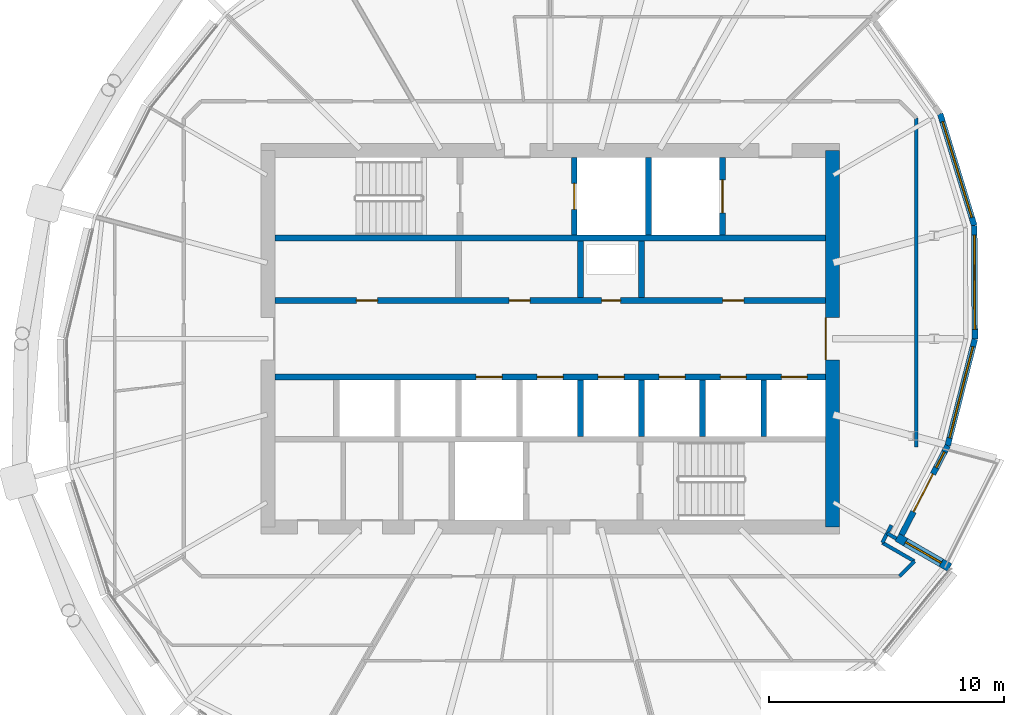
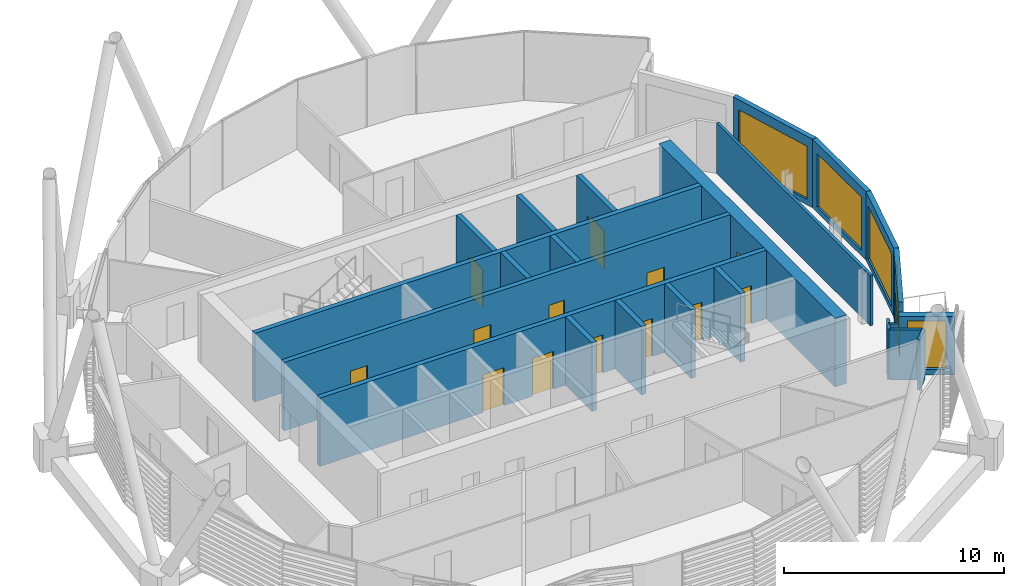
# One storey, part 27 of 35: 23 walls, 14 doors, 5 windows, 19 openings.
"""IFC4 building model written with IfcOpenShell, lengths in metres."""

from ifc_helpers import new_model, si_unit, direction, frame, frame_2d, origin, place, context, subcontext, project, spatial, rectangle, extrude, material, layer, layer_set, type_object, element, fill, save


model = new_model("IFC4")

# Units and contexts
model_context = context("Model", 3, precision=1e-05, world=origin(), true_north=direction((0.0, 1.0)))
body_context = subcontext(model_context, "Body", "Model", "MODEL_VIEW")
ifc_project = project(units=[si_unit("LENGTHUNIT", "METRE"), si_unit("AREAUNIT", "SQUARE_METRE"), si_unit("VOLUMEUNIT", "CUBIC_METRE"), si_unit("PLANEANGLEUNIT", "RADIAN"), si_unit("MASSUNIT", "GRAM", prefix="KILO")], contexts=[model_context])

# Site, building, storey
site_placement = place(None, origin())
site = spatial("IfcSite", under=ifc_project, at=site_placement, CompositionType="ELEMENT")
building_placement = place(site_placement, origin())
building = spatial("IfcBuilding", under=site, at=building_placement, Name="Rimbun Link Towers", CompositionType="ELEMENT")
storey_placement = place(building_placement, frame((0.0, 0.0, 181.699951171875)))
storey = spatial("IfcBuildingStorey", under=building, at=storey_placement, Name="L44", CompositionType="ELEMENT", Elevation=181.699951171875)

# Wall, openings, door, window
ifc_material_1 = material(Name="Dark enamelled glass spandrel on insulated aluminium backpan", Category="aluminium")
ifc_layer_1 = layer(ifc_material_1, 0.25)
ifc_layer_set_1 = layer_set([ifc_layer_1], Name="CS dark enamelled spandrel wall 250")
wall_type_1 = type_object("IfcWallType", Name="CS dark enamelled spandrel wall 250", PredefinedType="STANDARD", material=ifc_layer_set_1)
wall_1_placement = place(storey_placement, frame((48.65380859375, -4.54248046875, 0.0), z_axis=(0.0, 0.0, 1.0), x_axis=(-0.458536667943, -0.888675488664, 0.0)))
wall_1 = element("IfcWall", 1, at=wall_1_placement, inside=storey, type_object=wall_type_1, Name="Crease spandrel wall", PredefinedType="STANDARD", context=body_context, shape_type="SweptSolid", body=[
    extrude(rectangle(XDim=4.272705078125, YDim=0.25, at=frame_2d((2.13623046875, 0.0))), origin(), (0.0, 0.0, 1.0), 3.800048828125),
])
opening_1_placement = place(wall_1_placement, frame((0.307861328125, 0.0, 0.300048828125)))
opening_1 = element("IfcOpeningElement", 2, at=opening_1_placement, cuts=wall_1, Name="Opening WR08H295", PredefinedType="OPENING", context=body_context, shape_type="SweptSolid", body=[
    extrude(rectangle(XDim=0.75, YDim=2.949951171875, at=frame_2d((0.375, 1.47509765625))), frame((0.0, 0.135009765625, 0.0), z_axis=(0.0, -1.0, 0.0), x_axis=(1.0, 0.0, 0.0)), (0.0, 0.0, 1.0), 0.27001953125),
])
opening_2_placement = place(wall_1_placement, frame((1.36572265625, 0.0, 0.0)))
opening_2 = element("IfcOpeningElement", 3, at=opening_2_placement, cuts=wall_1, Name="Opening ED76", PredefinedType="OPENING", context=body_context, shape_type="SweptSolid", body=[
    extrude(rectangle(XDim=1.800048828125, YDim=2.39990234375, at=frame_2d((0.89990234375, 1.199951171875))), frame((0.0, 0.135009765625, 0.0), z_axis=(0.0, -1.0, 0.0), x_axis=(1.0, 0.0, 0.0)), (0.0, 0.0, 1.0), 0.27001953125),
])
ifc_material_2 = material(Name="Aluminium framed glazed door, low-iron glass", Category="aluminium")
door_type_1 = type_object("IfcDoorType", Name="ED terrace door double leaf 1800X2400", OperationType="DOUBLE_DOOR_SINGLE_SWING", PredefinedType="DOOR", material=ifc_material_2)
door_1_placement = place(opening_2_placement, origin())
door_1 = element("IfcDoor", 4, at=door_1_placement, inside=storey, type_object=door_type_1, Name="Terrace door", OperationType="SINGLE_SWING_LEFT", OverallHeight=2.39990234375, OverallWidth=1.800048828125, PredefinedType="DOOR", context=body_context, shape_type="SweptSolid", body=[
    extrude(rectangle(XDim=1.800048828125, YDim=2.39990234375, at=frame_2d((0.89990234375, 1.199951171875))), frame((0.0, 0.02490234375, 0.0), z_axis=(0.0, -1.0, 0.0), x_axis=(1.0, 0.0, 0.0)), (0.0, 0.0, 1.0), 0.050048828125),
])
fill(opening_2, door_1)
ifc_material_3 = material(Name="Aluminium framed fixed window, dark tinted low-e glass", Category="aluminium")
window_type_1 = type_object("IfcWindowType", Name="WR ribbon window 750X2950", PartitioningType="SINGLE_PANEL", PredefinedType="WINDOW", material=ifc_material_3)
window_1_placement = place(opening_1_placement, origin())
window_1 = element("IfcWindow", 5, at=window_1_placement, inside=storey, type_object=window_type_1, Name="Crease ribbon window", OverallHeight=2.949951171875, OverallWidth=0.75, PartitioningType="SINGLE_PANEL", PredefinedType="WINDOW", context=body_context, shape_type="SweptSolid", body=[
    extrude(rectangle(XDim=0.75, YDim=2.949951171875, at=frame_2d((0.375, 1.47509765625))), frame((0.0, 0.030029296875, 0.0), z_axis=(0.0, -1.0, 0.0), x_axis=(1.0, 0.0, 0.0)), (0.0, 0.0, 1.0), 0.06005859375),
])
fill(opening_1, window_1)

# Wall, opening, window
wall_2_placement = place(storey_placement, frame((49.80908203125, -0.015380859375, 0.0), z_axis=(0.0, 0.0, 1.0), x_axis=(-0.247266343543, -0.968947550361, 0.0)))
wall_2 = element("IfcWall", 6, at=wall_2_placement, inside=storey, type_object=wall_type_1, Name="Crease spandrel wall", PredefinedType="STANDARD", context=body_context, shape_type="SweptSolid", body=[
    extrude(rectangle(XDim=4.672119140625, YDim=0.25, at=frame_2d((2.3359375, 0.0))), origin(), (0.0, 0.0, 1.0), 3.800048828125),
])
opening_3_placement = place(wall_2_placement, frame((0.336181640625, 0.0, 0.300048828125)))
opening_3 = element("IfcOpeningElement", 7, at=opening_3_placement, cuts=wall_2, Name="Opening WR40H295", PredefinedType="OPENING", context=body_context, shape_type="SweptSolid", body=[
    extrude(rectangle(XDim=4.0, YDim=2.949951171875, at=frame_2d((2.0, 1.47509765625))), frame((0.0, 0.135009765625, 0.0), z_axis=(0.0, -1.0, 0.0), x_axis=(1.0, 0.0, 0.0)), (0.0, 0.0, 1.0), 0.27001953125),
])
ifc_material_4 = material(Name="Aluminium framed fixed window, dark tinted low-e glass", Category="aluminium")
window_type_2 = type_object("IfcWindowType", Name="WR ribbon window 4000X2950", PartitioningType="SINGLE_PANEL", PredefinedType="WINDOW", material=ifc_material_4)
window_2_placement = place(opening_3_placement, origin())
window_2 = element("IfcWindow", 8, at=window_2_placement, inside=storey, type_object=window_type_2, Name="Crease ribbon window", OverallHeight=2.949951171875, OverallWidth=4.0, PartitioningType="SINGLE_PANEL", PredefinedType="WINDOW", context=body_context, shape_type="SweptSolid", body=[
    extrude(rectangle(XDim=4.0, YDim=2.949951171875, at=frame_2d((2.0, 1.47509765625))), frame((0.0, 0.030029296875, 0.0), z_axis=(0.0, -1.0, 0.0), x_axis=(1.0, 0.0, 0.0)), (0.0, 0.0, 1.0), 0.06005859375),
])
fill(opening_3, window_2)

wall_3_placement = place(storey_placement, frame((49.7822265625, 4.8173828125, 0.0), z_axis=(0.0, 0.0, 1.0), x_axis=(0.005556873031, -0.999984560462, 0.0)))
wall_3 = element("IfcWall", 9, at=wall_3_placement, inside=storey, type_object=wall_type_1, Name="Crease spandrel wall", PredefinedType="STANDARD", context=body_context, shape_type="SweptSolid", body=[
    extrude(rectangle(XDim=4.832763671875, YDim=0.25, at=frame_2d((2.41650390625, 0.0))), origin(), (0.0, 0.0, 1.0), 3.800048828125),
])
opening_4_placement = place(wall_3_placement, frame((0.416259765625, 0.0, 0.300048828125)))
opening_4 = element("IfcOpeningElement", 10, at=opening_4_placement, cuts=wall_3, Name="Opening WR40H295", PredefinedType="OPENING", context=body_context, shape_type="SweptSolid", body=[
    extrude(rectangle(XDim=4.0, YDim=2.949951171875, at=frame_2d((2.0, 1.47509765625))), frame((0.0, 0.135009765625, 0.0), z_axis=(0.0, -1.0, 0.0), x_axis=(1.0, 0.0, 0.0)), (0.0, 0.0, 1.0), 0.27001953125),
])
window_3_placement = place(opening_4_placement, origin())
window_3 = element("IfcWindow", 11, at=window_3_placement, inside=storey, type_object=window_type_2, Name="Crease ribbon window", OverallHeight=2.949951171875, OverallWidth=4.0, PartitioningType="SINGLE_PANEL", PredefinedType="WINDOW", context=body_context, shape_type="SweptSolid", body=[
    extrude(rectangle(XDim=4.0, YDim=2.949951171875, at=frame_2d((2.0, 1.47509765625))), frame((0.0, 0.030029296875, 0.0), z_axis=(0.0, -1.0, 0.0), x_axis=(1.0, 0.0, 0.0)), (0.0, 0.0, 1.0), 0.06005859375),
])
fill(opening_4, window_3)

wall_4_placement = place(storey_placement, frame((48.333251953125, 9.564697265625, 0.0), z_axis=(0.0, 0.0, 1.0), x_axis=(0.291924857716, -0.956441256663, 0.0)))
wall_4 = element("IfcWall", 12, at=wall_4_placement, inside=storey, type_object=wall_type_1, Name="Crease spandrel wall", PredefinedType="STANDARD", context=body_context, shape_type="SweptSolid", body=[
    extrude(rectangle(XDim=4.963623046875, YDim=0.25, at=frame_2d((2.48193359375, 0.0))), origin(), (0.0, 0.0, 1.0), 3.800048828125),
])
opening_5_placement = place(wall_4_placement, frame((0.356689453125, 0.0, 0.300048828125)))
opening_5 = element("IfcOpeningElement", 13, at=opening_5_placement, cuts=wall_4, Name="Opening WR42H295", PredefinedType="OPENING", context=body_context, shape_type="SweptSolid", body=[
    extrude(rectangle(XDim=4.25, YDim=2.949951171875, at=frame_2d((2.125, 1.47509765625))), frame((0.0, 0.135009765625, 0.0), z_axis=(0.0, -1.0, 0.0), x_axis=(1.0, 0.0, 0.0)), (0.0, 0.0, 1.0), 0.27001953125),
])
ifc_material_5 = material(Name="Aluminium framed fixed window, dark tinted low-e glass", Category="aluminium")
window_type_3 = type_object("IfcWindowType", Name="WR ribbon window 4250X2950", PartitioningType="SINGLE_PANEL", PredefinedType="WINDOW", material=ifc_material_5)
window_4_placement = place(opening_5_placement, origin())
window_4 = element("IfcWindow", 14, at=window_4_placement, inside=storey, type_object=window_type_3, Name="Crease ribbon window", OverallHeight=2.949951171875, OverallWidth=4.25, PartitioningType="SINGLE_PANEL", PredefinedType="WINDOW", context=body_context, shape_type="SweptSolid", body=[
    extrude(rectangle(XDim=4.25, YDim=2.949951171875, at=frame_2d((2.125, 1.47509765625))), frame((0.0, 0.030029296875, 0.0), z_axis=(0.0, -1.0, 0.0), x_axis=(1.0, 0.0, 0.0)), (0.0, 0.0, 1.0), 0.06005859375),
])
fill(opening_5, window_4)

ifc_material_6 = material(Name="Dark enamelled glass spandrel on insulated aluminium backpan", Category="aluminium")
ifc_layer_2 = layer(ifc_material_6, 0.3701171875)
ifc_layer_set_2 = layer_set([ifc_layer_2], Name="CS dark enamelled spandrel wall 370")
wall_type_2 = type_object("IfcWallType", Name="CS dark enamelled spandrel wall 370", PredefinedType="STANDARD", material=ifc_layer_set_2)
wall_5_placement = place(storey_placement, frame((46.50390625, -8.443115234375, 0.0), z_axis=(0.0, 0.0, 1.0), x_axis=(0.866021702275, -0.500006411147, 0.0)))
wall_5 = element("IfcWall", 15, at=wall_5_placement, inside=storey, type_object=wall_type_2, Name="Crease spandrel wall", PredefinedType="STANDARD", context=body_context, shape_type="SweptSolid", body=[
    extrude(rectangle(XDim=2.580078125, YDim=0.3701171875, at=frame_2d((1.2900390625, 0.0))), origin(), (0.0, 0.0, 1.0), 3.233642578125),
])
opening_6_placement = place(wall_5_placement, frame((0.4150390625, 0.0, 0.300048828125)))
opening_6 = element("IfcOpeningElement", 16, at=opening_6_placement, cuts=wall_5, Name="Opening WR18H270", PredefinedType="OPENING", context=body_context, shape_type="SweptSolid", body=[
    extrude(rectangle(XDim=1.75, YDim=2.699951171875, at=frame_2d((0.875, 1.35009765625))), frame((0.0, 0.195068359375, 0.0), z_axis=(0.0, -1.0, 0.0), x_axis=(1.0, 0.0, 0.0)), (0.0, 0.0, 1.0), 0.39013671875),
])
ifc_material_7 = material(Name="Aluminium framed fixed window, dark tinted low-e glass", Category="aluminium")
window_type_4 = type_object("IfcWindowType", Name="WR ribbon window 1750X2700", PartitioningType="SINGLE_PANEL", PredefinedType="WINDOW", material=ifc_material_7)
window_5_placement = place(opening_6_placement, origin())
window_5 = element("IfcWindow", 17, at=window_5_placement, inside=storey, type_object=window_type_4, Name="Crease ribbon window", OverallHeight=2.699951171875, OverallWidth=1.75, PartitioningType="SINGLE_PANEL", PredefinedType="WINDOW", context=body_context, shape_type="SweptSolid", body=[
    extrude(rectangle(XDim=1.75, YDim=2.699951171875, at=frame_2d((0.875, 1.35009765625))), frame((0.0, 0.030029296875, 0.0), z_axis=(0.0, -1.0, 0.0), x_axis=(1.0, 0.0, 0.0)), (0.0, 0.0, 1.0), 0.06005859375),
])
fill(opening_6, window_5)

# Wall, opening, door
ifc_material_8 = material(Name="Concrete C60/75", Category="concrete")
ifc_layer_3 = layer(ifc_material_8, 0.60009765625)
ifc_layer_set_3 = layer_set([ifc_layer_3], Name="Core shear wall 600")
wall_type_3 = type_object("IfcWallType", Name="Core shear wall 600", PredefinedType="SHEAR", material=ifc_layer_set_3)
wall_6_placement = place(storey_placement, frame((43.75, -8.0, 0.0), z_axis=(0.0, 0.0, 1.0), x_axis=(0.0, 1.0, 0.0)))
wall_6 = element("IfcWall", 18, at=wall_6_placement, inside=storey, type_object=wall_type_3, Name="L44 T2 core wall E", PredefinedType="SHEAR", context=body_context, shape_type="SweptSolid", body=[
    extrude(rectangle(XDim=16.0, YDim=0.60009765625, at=frame_2d((8.0, 0.0))), origin(), (0.0, 0.0, 1.0), 3.800048828125),
])
opening_7_placement = place(wall_6_placement, frame((7.10009765625, 0.0, 0.0)))
opening_7 = element("IfcOpeningElement", 19, at=opening_7_placement, cuts=wall_6, Name="Opening C2DCL01E", PredefinedType="OPENING", context=body_context, shape_type="SweptSolid", body=[
    extrude(rectangle(XDim=1.800048828125, YDim=2.10009765625, at=frame_2d((0.89990234375, 1.050048828125))), frame((0.0, 0.31005859375, 0.0), z_axis=(0.0, -1.0, 0.0), x_axis=(1.0, 0.0, 0.0)), (0.0, 0.0, 1.0), 0.6201171875),
])
ifc_material_9 = material(Name="Steel fire door set", Category="steel")
door_type_2 = type_object("IfcDoorType", Name="Core lobby door double", OperationType="DOUBLE_DOOR_SINGLE_SWING", PredefinedType="DOOR", material=ifc_material_9)
door_2_placement = place(opening_7_placement, origin())
door_2 = element("IfcDoor", 20, at=door_2_placement, inside=storey, type_object=door_type_2, Name="L44 T2 lift lobby door", OperationType="DOUBLE_DOOR_SINGLE_SWING", OverallHeight=2.10009765625, OverallWidth=1.800048828125, PredefinedType="DOOR", context=body_context, shape_type="SweptSolid", body=[
    extrude(rectangle(XDim=1.800048828125, YDim=2.10009765625, at=frame_2d((0.89990234375, 1.050048828125))), frame((0.0, 0.2998046875, 0.0), z_axis=(0.0, -1.0, 0.0), x_axis=(1.0, 0.0, 0.0)), (0.0, 0.0, 1.0), 0.050048828125),
])
fill(opening_7, door_2)

# Walls
ifc_material_10 = material(Name="Plasterboard on steel stud, mineral wool", Category="steel")
ifc_layer_4 = layer(ifc_material_10, 0.14990234375)
ifc_layer_set_4 = layer_set([ifc_layer_4], Name="Corridor wall EI 30 150 mm")
wall_type_4 = type_object("IfcWallType", Name="Corridor wall EI 30 150 mm", PredefinedType="PARTITIONING", material=ifc_layer_set_4)
wall_7_placement = place(storey_placement, frame((47.324951171875, -4.607421875, 0.0), z_axis=(0.0, 0.0, 1.0), x_axis=(0.0, 1.0, 0.0)))
element("IfcWall", 21, at=wall_7_placement, inside=storey, type_object=wall_type_4, Name="Corridor wall EI 30 150 mm", PredefinedType="PARTITIONING", context=body_context, shape_type="SweptSolid", body=[
    extrude(rectangle(XDim=13.981201171875, YDim=0.14990234375, at=frame_2d((6.99072265625, 0.0))), origin(), (0.0, 0.0, 1.0), 2.7890625),
])
wall_8_placement = place(storey_placement, frame((45.874755859375, -8.674560546875, 0.0), z_axis=(0.0, 0.0, 1.0), x_axis=(0.458382769629, 0.888754879878, 0.0)))
element("IfcWall", 22, at=wall_8_placement, inside=storey, type_object=wall_type_4, Name="Corridor wall EI 30 150 mm", PredefinedType="PARTITIONING", context=body_context, shape_type="SweptSolid", body=[
    extrude(rectangle(XDim=0.836669921875, YDim=0.14990234375, at=frame_2d((0.41845703125, 0.0))), origin(), (0.0, 0.0, 1.0), 2.7890625),
])
wall_9_placement = place(storey_placement, frame((47.2373046875, -9.461181640625, 0.0), z_axis=(0.0, 0.0, 1.0), x_axis=(-0.866038294681, 0.499977671647, 0.0)))
element("IfcWall", 23, at=wall_9_placement, inside=storey, type_object=wall_type_4, Name="Corridor wall EI 30 150 mm", PredefinedType="PARTITIONING", context=body_context, shape_type="SweptSolid", body=[
    extrude(rectangle(XDim=1.5732421875, YDim=0.14990234375, at=frame_2d((0.78662109375, 0.0))), origin(), (0.0, 0.0, 1.0), 2.7890625),
])
wall_10_placement = place(storey_placement, frame((46.603759765625, -10.094970703125, 0.0), z_axis=(0.0, 0.0, 1.0), x_axis=(0.706970550234, 0.707242985898, 0.0)))
element("IfcWall", 24, at=wall_10_placement, inside=storey, type_object=wall_type_4, Name="Corridor wall EI 30 150 mm", PredefinedType="PARTITIONING", context=body_context, shape_type="SweptSolid", body=[
    extrude(rectangle(XDim=0.896240234375, YDim=0.14990234375, at=frame_2d((0.4482421875, 0.0))), origin(), (0.0, 0.0, 1.0), 2.7890625),
])
ifc_material_11 = material(Name="Concrete C60/75", Category="concrete")
ifc_layer_5 = layer(ifc_material_11, 0.25)
ifc_layer_set_5 = layer_set([ifc_layer_5], Name="Shaft wall 250")
wall_type_5 = type_object("IfcWallType", Name="Shaft wall 250", PredefinedType="SHEAR", material=ifc_layer_set_5)
wall_11_placement = place(storey_placement, frame((20.050048828125, 4.27490234375, 0.0), z_axis=(0.0, 0.0, 1.0), x_axis=(1.0, 0.0, 0.0)))
element("IfcWall", 25, at=wall_11_placement, inside=storey, type_object=wall_type_5, Name="L44 T2 core wall BN", PredefinedType="SHEAR", context=body_context, shape_type="SweptSolid", body=[
    extrude(rectangle(XDim=23.39990234375, YDim=0.25, at=frame_2d((11.699951171875, 0.0))), origin(), (0.0, 0.0, 1.0), 3.800048828125),
])

# Wall, openings, doors
wall_12_placement = place(storey_placement, frame((20.050048828125, 1.625, 0.0), z_axis=(0.0, 0.0, 1.0), x_axis=(1.0, 0.0, 0.0)))
wall_12 = element("IfcWall", 26, at=wall_12_placement, inside=storey, type_object=wall_type_5, Name="L44 T2 core wall FN", PredefinedType="SHEAR", context=body_context, shape_type="SweptSolid", body=[
    extrude(rectangle(XDim=23.39990234375, YDim=0.25, at=frame_2d((11.699951171875, 0.0))), origin(), (0.0, 0.0, 1.0), 3.800048828125),
])
opening_8_placement = place(wall_12_placement, frame((3.466796875, 0.0, 0.0)))
opening_8 = element("IfcOpeningElement", 27, at=opening_8_placement, cuts=wall_12, Name="Opening C2DRS01FN", PredefinedType="OPENING", context=body_context, shape_type="SweptSolid", body=[
    extrude(rectangle(XDim=0.89990234375, YDim=2.10009765625, at=frame_2d((0.449951171875, 1.050048828125))), frame((0.0, 0.135009765625, 0.0), z_axis=(0.0, -1.0, 0.0), x_axis=(1.0, 0.0, 0.0)), (0.0, 0.0, 1.0), 0.27001953125),
])
opening_9_placement = place(wall_12_placement, frame((9.952880859375, 0.0, 0.0)))
opening_9 = element("IfcOpeningElement", 28, at=opening_9_placement, cuts=wall_12, Name="Opening C2DRS02FN", PredefinedType="OPENING", context=body_context, shape_type="SweptSolid", body=[
    extrude(rectangle(XDim=0.89990234375, YDim=2.10009765625, at=frame_2d((0.449951171875, 1.050048828125))), frame((0.0, 0.135009765625, 0.0), z_axis=(0.0, -1.0, 0.0), x_axis=(1.0, 0.0, 0.0)), (0.0, 0.0, 1.0), 0.27001953125),
])
opening_10_placement = place(wall_12_placement, frame((13.894287109375, 0.0, 0.0)))
opening_10 = element("IfcOpeningElement", 29, at=opening_10_placement, cuts=wall_12, Name="Opening C2DRA03FN", PredefinedType="OPENING", context=body_context, shape_type="SweptSolid", body=[
    extrude(rectangle(XDim=0.800048828125, YDim=2.10009765625, at=frame_2d((0.39990234375, 1.050048828125))), frame((0.0, 0.135009765625, 0.0), z_axis=(0.0, -1.0, 0.0), x_axis=(1.0, 0.0, 0.0)), (0.0, 0.0, 1.0), 0.27001953125),
])
opening_11_placement = place(wall_12_placement, frame((19.033203125, 0.0, 0.0)))
opening_11 = element("IfcOpeningElement", 30, at=opening_11_placement, cuts=wall_12, Name="Opening C2DRS04FN", PredefinedType="OPENING", context=body_context, shape_type="SweptSolid", body=[
    extrude(rectangle(XDim=0.89990234375, YDim=2.10009765625, at=frame_2d((0.449951171875, 1.050048828125))), frame((0.0, 0.135009765625, 0.0), z_axis=(0.0, -1.0, 0.0), x_axis=(1.0, 0.0, 0.0)), (0.0, 0.0, 1.0), 0.27001953125),
])
ifc_material_12 = material(Name="Steel fire door set", Category="steel")
door_type_3 = type_object("IfcDoorType", Name="Core riser door", OperationType="SINGLE_SWING_LEFT", PredefinedType="DOOR", material=ifc_material_12)
door_3_placement = place(opening_8_placement, origin())
door_3 = element("IfcDoor", 31, at=door_3_placement, inside=storey, type_object=door_type_3, Name="L44 T2 plant room door", OperationType="SINGLE_SWING_LEFT", OverallHeight=2.10009765625, OverallWidth=0.89990234375, PredefinedType="DOOR", context=body_context, shape_type="SweptSolid", body=[
    extrude(rectangle(XDim=0.89990234375, YDim=2.10009765625, at=frame_2d((0.449951171875, 1.050048828125))), frame((0.0, 0.02490234375, 0.0), z_axis=(0.0, -1.0, 0.0), x_axis=(1.0, 0.0, 0.0)), (0.0, 0.0, 1.0), 0.050048828125),
])
fill(opening_8, door_3)
door_4_placement = place(opening_9_placement, origin())
door_4 = element("IfcDoor", 32, at=door_4_placement, inside=storey, type_object=door_type_3, Name="L44 T2 pantry door", OperationType="SINGLE_SWING_LEFT", OverallHeight=2.10009765625, OverallWidth=0.89990234375, PredefinedType="DOOR", context=body_context, shape_type="SweptSolid", body=[
    extrude(rectangle(XDim=0.89990234375, YDim=2.10009765625, at=frame_2d((0.449951171875, 1.050048828125))), frame((0.0, 0.02490234375, 0.0), z_axis=(0.0, -1.0, 0.0), x_axis=(1.0, 0.0, 0.0)), (0.0, 0.0, 1.0), 0.050048828125),
])
fill(opening_9, door_4)
door_5_placement = place(opening_11_placement, origin())
door_5 = element("IfcDoor", 33, at=door_5_placement, inside=storey, type_object=door_type_3, Name="L44 T2 plant room door", OperationType="SINGLE_SWING_LEFT", OverallHeight=2.10009765625, OverallWidth=0.89990234375, PredefinedType="DOOR", context=body_context, shape_type="SweptSolid", body=[
    extrude(rectangle(XDim=0.89990234375, YDim=2.10009765625, at=frame_2d((0.449951171875, 1.050048828125))), frame((0.0, 0.02490234375, 0.0), z_axis=(0.0, -1.0, 0.0), x_axis=(1.0, 0.0, 0.0)), (0.0, 0.0, 1.0), 0.050048828125),
])
fill(opening_11, door_5)
ifc_material_13 = material(Name="Steel fire door set", Category="steel")
door_type_4 = type_object("IfcDoorType", Name="Riser access door 800 x 2100", OperationType="SINGLE_SWING_LEFT", PredefinedType="DOOR", material=ifc_material_13)
door_6_placement = place(opening_10_placement, origin())
door_6 = element("IfcDoor", 34, at=door_6_placement, inside=storey, type_object=door_type_4, Name="L44 T2 riser cupboard door", OperationType="SINGLE_SWING_RIGHT", OverallHeight=2.10009765625, OverallWidth=0.800048828125, PredefinedType="DOOR", context=body_context, shape_type="SweptSolid", body=[
    extrude(rectangle(XDim=0.800048828125, YDim=2.10009765625, at=frame_2d((0.39990234375, 1.050048828125))), frame((0.0, 0.02490234375, 0.0), z_axis=(0.0, -1.0, 0.0), x_axis=(1.0, 0.0, 0.0)), (0.0, 0.0, 1.0), 0.050048828125),
])
fill(opening_10, door_6)

wall_13_placement = place(storey_placement, frame((20.050048828125, -1.625, 0.0), z_axis=(0.0, 0.0, 1.0), x_axis=(1.0, 0.0, 0.0)))
wall_13 = element("IfcWall", 35, at=wall_13_placement, inside=storey, type_object=wall_type_5, Name="L44 T2 core wall FS", PredefinedType="SHEAR", context=body_context, shape_type="SweptSolid", body=[
    extrude(rectangle(XDim=23.39990234375, YDim=0.25, at=frame_2d((11.699951171875, 0.0))), origin(), (0.0, 0.0, 1.0), 3.800048828125),
])
opening_12_placement = place(wall_13_placement, frame((8.5556640625, 0.0, 0.0)))
opening_12 = element("IfcOpeningElement", 36, at=opening_12_placement, cuts=wall_13, Name="Opening LD-T2-HR1", PredefinedType="OPENING", context=body_context, shape_type="SweptSolid", body=[
    extrude(rectangle(XDim=1.10009765625, YDim=2.10009765625, at=frame_2d((0.550048828125, 1.050048828125))), frame((0.0, 0.135009765625, 0.0), z_axis=(0.0, -1.0, 0.0), x_axis=(1.0, 0.0, 0.0)), (0.0, 0.0, 1.0), 0.27001953125),
])
opening_13_placement = place(wall_13_placement, frame((11.14990234375, 0.0, 0.0)))
opening_13 = element("IfcOpeningElement", 37, at=opening_13_placement, cuts=wall_13, Name="Opening LD-T2-HR2", PredefinedType="OPENING", context=body_context, shape_type="SweptSolid", body=[
    extrude(rectangle(XDim=1.10009765625, YDim=2.10009765625, at=frame_2d((0.550048828125, 1.050048828125))), frame((0.0, 0.135009765625, 0.0), z_axis=(0.0, -1.0, 0.0), x_axis=(1.0, 0.0, 0.0)), (0.0, 0.0, 1.0), 0.27001953125),
])
opening_14_placement = place(wall_13_placement, frame((13.744384765625, 0.0, 0.0)))
opening_14 = element("IfcOpeningElement", 38, at=opening_14_placement, cuts=wall_13, Name="Opening LD-T2-HR3", PredefinedType="OPENING", context=body_context, shape_type="SweptSolid", body=[
    extrude(rectangle(XDim=1.10009765625, YDim=2.10009765625, at=frame_2d((0.550048828125, 1.050048828125))), frame((0.0, 0.135009765625, 0.0), z_axis=(0.0, -1.0, 0.0), x_axis=(1.0, 0.0, 0.0)), (0.0, 0.0, 1.0), 0.27001953125),
])
opening_15_placement = place(wall_13_placement, frame((16.3388671875, 0.0, 0.0)))
opening_15 = element("IfcOpeningElement", 39, at=opening_15_placement, cuts=wall_13, Name="Opening LD-T2-HR4", PredefinedType="OPENING", context=body_context, shape_type="SweptSolid", body=[
    extrude(rectangle(XDim=1.10009765625, YDim=2.10009765625, at=frame_2d((0.550048828125, 1.050048828125))), frame((0.0, 0.135009765625, 0.0), z_axis=(0.0, -1.0, 0.0), x_axis=(1.0, 0.0, 0.0)), (0.0, 0.0, 1.0), 0.27001953125),
])
opening_16_placement = place(wall_13_placement, frame((18.933349609375, 0.0, 0.0)))
opening_16 = element("IfcOpeningElement", 40, at=opening_16_placement, cuts=wall_13, Name="Opening LD-T2-HR5", PredefinedType="OPENING", context=body_context, shape_type="SweptSolid", body=[
    extrude(rectangle(XDim=1.10009765625, YDim=2.10009765625, at=frame_2d((0.550048828125, 1.050048828125))), frame((0.0, 0.135009765625, 0.0), z_axis=(0.0, -1.0, 0.0), x_axis=(1.0, 0.0, 0.0)), (0.0, 0.0, 1.0), 0.27001953125),
])
opening_17_placement = place(wall_13_placement, frame((21.52783203125, 0.0, 0.0)))
opening_17 = element("IfcOpeningElement", 41, at=opening_17_placement, cuts=wall_13, Name="Opening LD-T2-HR6", PredefinedType="OPENING", context=body_context, shape_type="SweptSolid", body=[
    extrude(rectangle(XDim=1.10009765625, YDim=2.10009765625, at=frame_2d((0.550048828125, 1.050048828125))), frame((0.0, 0.135009765625, 0.0), z_axis=(0.0, -1.0, 0.0), x_axis=(1.0, 0.0, 0.0)), (0.0, 0.0, 1.0), 0.27001953125),
])
ifc_material_14 = material(Name="Stainless steel grade 316", Category="steel")
door_type_5 = type_object("IfcDoorType", Name="Lift landing door", OperationType="DOUBLE_DOOR_SLIDING", PredefinedType="DOOR", material=ifc_material_14)
door_7_placement = place(opening_12_placement, origin())
door_7 = element("IfcDoor", 42, at=door_7_placement, inside=storey, type_object=door_type_5, Name="L44 T2 lift HR1 landing door", OperationType="DOUBLE_DOOR_SLIDING", OverallHeight=2.10009765625, OverallWidth=1.10009765625, PredefinedType="DOOR", context=body_context, shape_type="SweptSolid", body=[
    extrude(rectangle(XDim=1.10009765625, YDim=2.10009765625, at=frame_2d((0.550048828125, 1.050048828125))), frame((0.0, 0.02490234375, 0.0), z_axis=(0.0, -1.0, 0.0), x_axis=(1.0, 0.0, 0.0)), (0.0, 0.0, 1.0), 0.050048828125),
])
fill(opening_12, door_7)
door_8_placement = place(opening_13_placement, origin())
door_8 = element("IfcDoor", 43, at=door_8_placement, inside=storey, type_object=door_type_5, Name="L44 T2 lift HR2 landing door", OperationType="DOUBLE_DOOR_SLIDING", OverallHeight=2.10009765625, OverallWidth=1.10009765625, PredefinedType="DOOR", context=body_context, shape_type="SweptSolid", body=[
    extrude(rectangle(XDim=1.10009765625, YDim=2.10009765625, at=frame_2d((0.550048828125, 1.050048828125))), frame((0.0, 0.02490234375, 0.0), z_axis=(0.0, -1.0, 0.0), x_axis=(1.0, 0.0, 0.0)), (0.0, 0.0, 1.0), 0.050048828125),
])
fill(opening_13, door_8)
door_9_placement = place(opening_14_placement, origin())
door_9 = element("IfcDoor", 44, at=door_9_placement, inside=storey, type_object=door_type_5, Name="L44 T2 lift HR3 landing door", OperationType="DOUBLE_DOOR_SLIDING", OverallHeight=2.10009765625, OverallWidth=1.10009765625, PredefinedType="DOOR", context=body_context, shape_type="SweptSolid", body=[
    extrude(rectangle(XDim=1.10009765625, YDim=2.10009765625, at=frame_2d((0.550048828125, 1.050048828125))), frame((0.0, 0.02490234375, 0.0), z_axis=(0.0, -1.0, 0.0), x_axis=(1.0, 0.0, 0.0)), (0.0, 0.0, 1.0), 0.050048828125),
])
fill(opening_14, door_9)
door_10_placement = place(opening_15_placement, origin())
door_10 = element("IfcDoor", 45, at=door_10_placement, inside=storey, type_object=door_type_5, Name="L44 T2 lift HR4 landing door", OperationType="DOUBLE_DOOR_SLIDING", OverallHeight=2.10009765625, OverallWidth=1.10009765625, PredefinedType="DOOR", context=body_context, shape_type="SweptSolid", body=[
    extrude(rectangle(XDim=1.10009765625, YDim=2.10009765625, at=frame_2d((0.550048828125, 1.050048828125))), frame((0.0, 0.02490234375, 0.0), z_axis=(0.0, -1.0, 0.0), x_axis=(1.0, 0.0, 0.0)), (0.0, 0.0, 1.0), 0.050048828125),
])
fill(opening_15, door_10)
door_11_placement = place(opening_16_placement, origin())
door_11 = element("IfcDoor", 46, at=door_11_placement, inside=storey, type_object=door_type_5, Name="L44 T2 lift HR5 landing door", OperationType="DOUBLE_DOOR_SLIDING", OverallHeight=2.10009765625, OverallWidth=1.10009765625, PredefinedType="DOOR", context=body_context, shape_type="SweptSolid", body=[
    extrude(rectangle(XDim=1.10009765625, YDim=2.10009765625, at=frame_2d((0.550048828125, 1.050048828125))), frame((0.0, 0.02490234375, 0.0), z_axis=(0.0, -1.0, 0.0), x_axis=(1.0, 0.0, 0.0)), (0.0, 0.0, 1.0), 0.050048828125),
])
fill(opening_16, door_11)
door_12_placement = place(opening_17_placement, origin())
door_12 = element("IfcDoor", 47, at=door_12_placement, inside=storey, type_object=door_type_5, Name="L44 T2 lift HR6 landing door", OperationType="DOUBLE_DOOR_SLIDING", OverallHeight=2.10009765625, OverallWidth=1.10009765625, PredefinedType="DOOR", context=body_context, shape_type="SweptSolid", body=[
    extrude(rectangle(XDim=1.10009765625, YDim=2.10009765625, at=frame_2d((0.550048828125, 1.050048828125))), frame((0.0, 0.02490234375, 0.0), z_axis=(0.0, -1.0, 0.0), x_axis=(1.0, 0.0, 0.0)), (0.0, 0.0, 1.0), 0.050048828125),
])
fill(opening_17, door_12)

# Walls
for number, where, z_axis, x_axis, name in (
    (48, (33.047119140625, 1.75, 0.0), (0.0, 0.0, 1.0), (0.0, 1.0, 0.0), "L44 T2 core wall DN4"),
    (49, (35.6416015625, 1.75, 0.0), (0.0, 0.0, 1.0), (0.0, 1.0, 0.0), "L44 T2 core wall DN5"),
    (50, (33.047119140625, -4.14990234375, 0.0), (0.0, 0.0, 1.0), (0.0, 1.0, 0.0), "L44 T2 core wall DS4"),
    (51, (35.6416015625, -4.14990234375, 0.0), (0.0, 0.0, 1.0), (0.0, 1.0, 0.0), "L44 T2 core wall DS5"),
    (52, (38.236083984375, -4.14990234375, 0.0), (0.0, 0.0, 1.0), (0.0, 1.0, 0.0), "L44 T2 core wall DS6"),
    (53, (40.83056640625, -4.14990234375, 0.0), (0.0, 0.0, 1.0), (0.0, 1.0, 0.0), "L44 T2 core wall DS7"),
):
    element("IfcWall", number, at=place(storey_placement, frame(where, z_axis=z_axis, x_axis=x_axis)), inside=storey, type_object=wall_type_5, Name=name, PredefinedType="SHEAR", context=body_context, shape_type="SweptSolid", body=[
        extrude(rectangle(XDim=2.39990234375, YDim=0.25, at=frame_2d((1.199951171875, 0.0))), origin(), (0.0, 0.0, 1.0), 3.800048828125),
    ])

# Wall, opening, door
wall_14_placement = place(storey_placement, frame((32.77490234375, 4.39990234375, 0.0), z_axis=(0.0, 0.0, 1.0), x_axis=(0.0, 1.0, 0.0)))
wall_14 = element("IfcWall", 54, at=wall_14_placement, inside=storey, type_object=wall_type_5, Name="L44 T2 core wall A2", PredefinedType="SHEAR", context=body_context, shape_type="SweptSolid", body=[
    extrude(rectangle(XDim=3.300048828125, YDim=0.25, at=frame_2d((1.64990234375, 0.0))), origin(), (0.0, 0.0, 1.0), 3.800048828125),
])
opening_18_placement = place(wall_14_placement, frame((1.10009765625, 0.0, 0.0)))
opening_18 = element("IfcOpeningElement", 55, at=opening_18_placement, cuts=wall_14, Name="Opening LD-T2-FF1", PredefinedType="OPENING", context=body_context, shape_type="SweptSolid", body=[
    extrude(rectangle(XDim=1.10009765625, YDim=2.10009765625, at=frame_2d((0.550048828125, 1.050048828125))), frame((0.0, 0.135009765625, 0.0), z_axis=(0.0, -1.0, 0.0), x_axis=(1.0, 0.0, 0.0)), (0.0, 0.0, 1.0), 0.27001953125),
])
door_13_placement = place(opening_18_placement, origin())
door_13 = element("IfcDoor", 56, at=door_13_placement, inside=storey, type_object=door_type_5, Name="L44 T2 lift FF1 landing door", OperationType="DOUBLE_DOOR_SLIDING", OverallHeight=2.10009765625, OverallWidth=1.10009765625, PredefinedType="DOOR", context=body_context, shape_type="SweptSolid", body=[
    extrude(rectangle(XDim=1.10009765625, YDim=2.10009765625, at=frame_2d((0.550048828125, 1.050048828125))), frame((0.0, 0.02490234375, 0.0), z_axis=(0.0, -1.0, 0.0), x_axis=(1.0, 0.0, 0.0)), (0.0, 0.0, 1.0), 0.050048828125),
])
fill(opening_18, door_13)

# Wall
wall_15_placement = place(storey_placement, frame((35.925048828125, 4.39990234375, 0.0), z_axis=(0.0, 0.0, 1.0), x_axis=(0.0, 1.0, 0.0)))
element("IfcWall", 57, at=wall_15_placement, inside=storey, type_object=wall_type_5, Name="L44 T2 core wall A3", PredefinedType="SHEAR", context=body_context, shape_type="SweptSolid", body=[
    extrude(rectangle(XDim=3.300048828125, YDim=0.25, at=frame_2d((1.64990234375, 0.0))), origin(), (0.0, 0.0, 1.0), 3.800048828125),
])

# Wall, opening, door
wall_16_placement = place(storey_placement, frame((39.074951171875, 4.39990234375, 0.0), z_axis=(0.0, 0.0, 1.0), x_axis=(0.0, 1.0, 0.0)))
wall_16 = element("IfcWall", 58, at=wall_16_placement, inside=storey, type_object=wall_type_5, Name="L44 T2 core wall A4", PredefinedType="SHEAR", context=body_context, shape_type="SweptSolid", body=[
    extrude(rectangle(XDim=3.300048828125, YDim=0.25, at=frame_2d((1.64990234375, 0.0))), origin(), (0.0, 0.0, 1.0), 3.800048828125),
])
opening_19_placement = place(wall_16_placement, frame((0.949951171875, 0.0, 0.0)))
opening_19 = element("IfcOpeningElement", 59, at=opening_19_placement, cuts=wall_16, Name="Opening LD-T2-GL1", PredefinedType="OPENING", context=body_context, shape_type="SweptSolid", body=[
    extrude(rectangle(XDim=1.39990234375, YDim=2.10009765625, at=frame_2d((0.699951171875, 1.050048828125))), frame((0.0, 0.135009765625, 0.0), z_axis=(0.0, -1.0, 0.0), x_axis=(1.0, 0.0, 0.0)), (0.0, 0.0, 1.0), 0.27001953125),
])
ifc_material_15 = material(Name="Stainless steel grade 316", Category="steel")
door_type_6 = type_object("IfcDoorType", Name="Goods lift landing door", OperationType="DOUBLE_DOOR_SLIDING", PredefinedType="DOOR", material=ifc_material_15)
door_14_placement = place(opening_19_placement, origin())
door_14 = element("IfcDoor", 60, at=door_14_placement, inside=storey, type_object=door_type_6, Name="L44 T2 lift GL1 landing door", OperationType="DOUBLE_DOOR_SLIDING", OverallHeight=2.10009765625, OverallWidth=1.39990234375, PredefinedType="DOOR", context=body_context, shape_type="SweptSolid", body=[
    extrude(rectangle(XDim=1.39990234375, YDim=2.10009765625, at=frame_2d((0.699951171875, 1.050048828125))), frame((0.0, 0.02490234375, 0.0), z_axis=(0.0, -1.0, 0.0), x_axis=(1.0, 0.0, 0.0)), (0.0, 0.0, 1.0), 0.050048828125),
])
fill(opening_19, door_14)

# Wall
ifc_material_16 = material(Name="Plasterboard on steel stud, mineral wool", Category="steel")
ifc_layer_6 = layer(ifc_material_16, 0.14990234375)
ifc_layer_set_6 = layer_set([ifc_layer_6], Name="Tenancy separation wall EI 60 150 mm")
wall_type_6 = type_object("IfcWallType", Name="Tenancy separation wall EI 60 150 mm", PredefinedType="PARTITIONING", material=ifc_layer_set_6)
wall_17_placement = place(storey_placement, frame((46.081298828125, -8.274169921875, 0.0), z_axis=(0.0, 0.0, 1.0), x_axis=(0.8659328762, -0.500160228243, 0.0)))
element("IfcWall", 61, at=wall_17_placement, inside=storey, type_object=wall_type_6, Name="Tenancy separation wall EI 60 150 mm", PredefinedType="PARTITIONING", context=body_context, shape_type="SweptSolid", body=[
    extrude(rectangle(XDim=0.450439453125, YDim=0.14990234375, at=frame_2d((0.22509765625, 0.0))), origin(), (0.0, 0.0, 1.0), 2.7890625),
])

save(model, "model.ifc")
